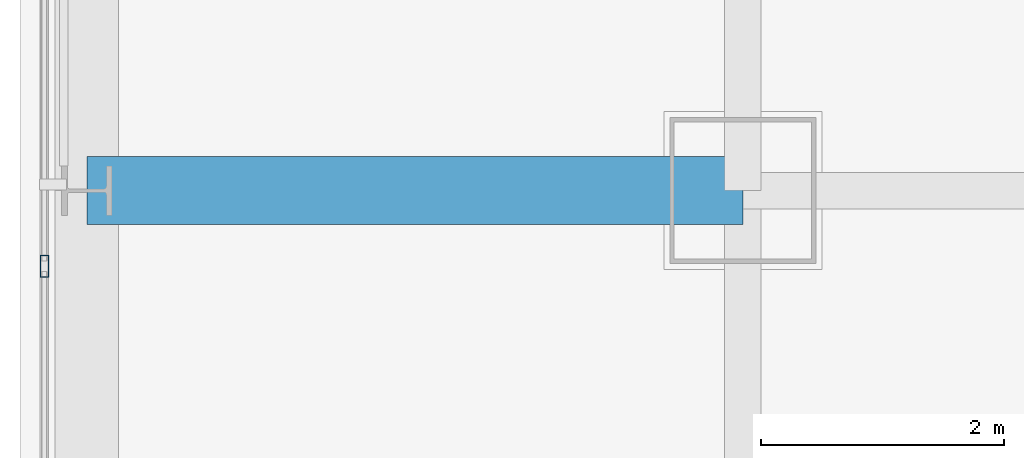
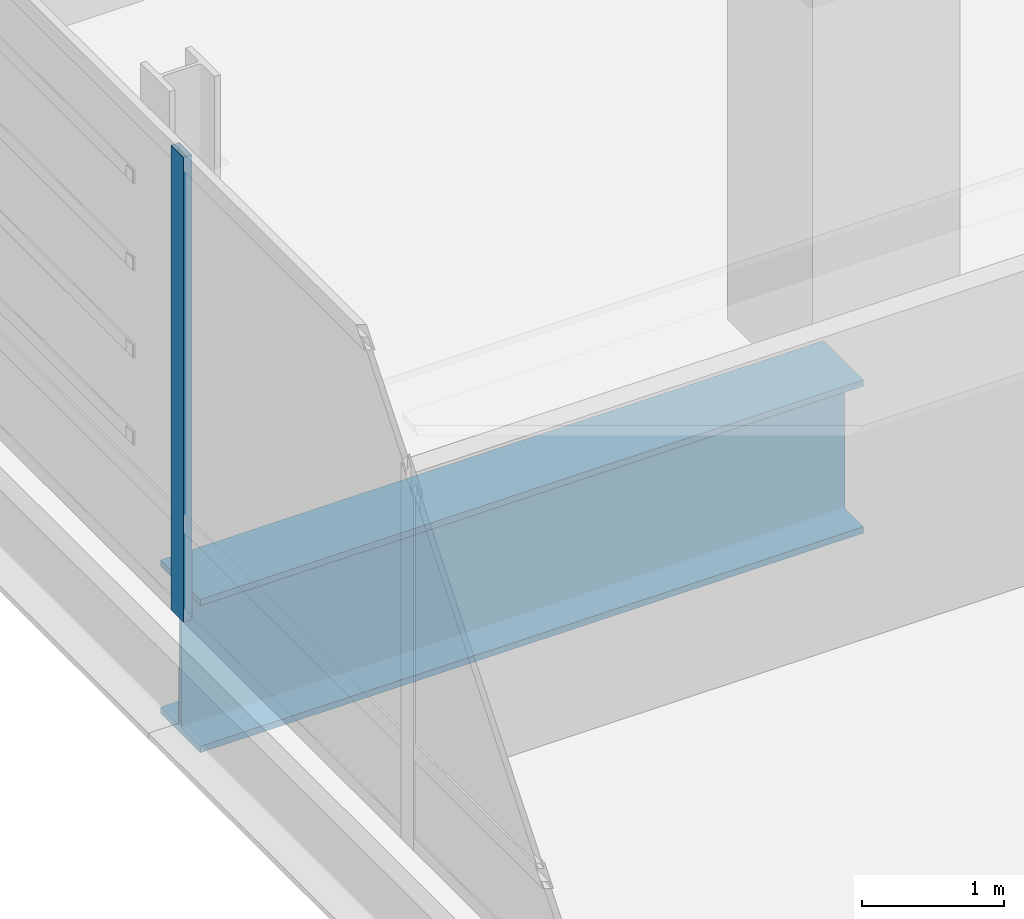
# One storey, part 10 of 43: 1 beam, 1 member, 1 element without a shape of its own.
"""IFC4 building model written with IfcOpenShell, lengths in metres."""

from ifc_helpers import new_model, si_unit, direction, frame, origin, origin_2d, place, context, subcontext, project, spatial, hollow_rectangle, i_section, extrude, material, material_profile, profile_set, type_object, element, aggregate, save


model = new_model("IFC4")

# Units and contexts
model_context = context("Model", 3, precision=1e-05, world=origin(), true_north=direction((0.0, 1.0)))
body_context = subcontext(model_context, "Body", "Model", "MODEL_VIEW")
ifc_project = project(units=[si_unit("LENGTHUNIT", "METRE"), si_unit("AREAUNIT", "SQUARE_METRE"), si_unit("VOLUMEUNIT", "CUBIC_METRE"), si_unit("PLANEANGLEUNIT", "RADIAN"), si_unit("MASSUNIT", "GRAM", prefix="KILO")], contexts=[model_context])

# Site, building, storey
site_placement = place(None, origin())
site = spatial("IfcSite", under=ifc_project, at=site_placement, CompositionType="ELEMENT")
building_placement = place(site_placement, origin())
building = spatial("IfcBuilding", under=site, at=building_placement, Name="Punatoya Terracotta Tower", CompositionType="ELEMENT")
storey_placement = place(building_placement, frame((0.0, 0.0, 321.60009765625)))
storey = spatial("IfcBuildingStorey", under=building, at=storey_placement, Name="L76", CompositionType="ELEMENT", Elevation=321.60009765625)

# Beam
ifc_material_1 = material(Name="Steel S460", Category="steel")
ifc_material_profile_1 = material_profile(ifc_material_1, i_section(OverallWidth=0.56005859375, OverallDepth=1.320068359375, WebThickness=0.035888671875, FlangeThickness=0.054931640625, FilletRadius=0.01806640625, at=origin_2d()))
ifc_profile_set_1 = profile_set([ifc_material_profile_1], Name="Steel S460")
beam_type = type_object("IfcBeamType", Name="BM-TG-BLK", PredefinedType="BEAM", material=ifc_profile_set_1)
beam_placement = place(storey_placement, frame((-24.5, -3.39990234375, -0.860107421875), z_axis=(1.0, 0.0, 0.0), x_axis=(0.0, 1.0, 0.0)))
element("IfcBeam", 1, at=beam_placement, inside=storey, type_object=beam_type, Name="BM-L76-CANT-W2", PredefinedType="BEAM", context=body_context, shape_type="SweptSolid", body=[
    extrude(i_section(OverallWidth=0.56005859375, OverallDepth=1.320068359375, WebThickness=0.035888671875, FlangeThickness=0.054931640625, FilletRadius=0.01806640625, at=origin_2d()), origin(), (0.0, 0.0, 1.0), 5.39990234375),
])

# Curtain wall, member
ifc_material_2 = material(Name="Aluminium 6063-T6 + Double Low-E Glass", Category="aluminium")
curtain_wall_type = type_object("IfcCurtainWallType", Name="CW-OBS", PredefinedType="NOTDEFINED", material=ifc_material_2)
curtain_wall_placement = place(storey_placement, origin())
curtain_wall = element("IfcCurtainWall", 2, at=curtain_wall_placement, inside=storey, type_object=curtain_wall_type, Name="L76 Curtain Wall CW-L76-W13-1", PredefinedType="NOTDEFINED")
ifc_material_3 = material(Name="Aluminium 6063-T6", Category="aluminium")
ifc_material_profile_2 = material_profile(ifc_material_3, hollow_rectangle(XDim=0.070068359375, YDim=0.179931640625, WallThickness=0.00390625, at=origin_2d()))
ifc_profile_set_2 = profile_set([ifc_material_profile_2], Name="Aluminium 6063-T6")
member_type = type_object("IfcMemberType", Name="CW-MUL-M3", PredefinedType="MULLION", material=ifc_profile_set_2)
member_placement = place(storey_placement, frame((-24.85009765625, -4.021484375, 0.0), z_axis=(0.0, 0.0, 1.0), x_axis=(1.0, 0.0, 0.0)))
member = element("IfcMember", 3, at=member_placement, type_object=member_type, Name="CW-L76-W13-1 Mullion 06", PredefinedType="MULLION", context=body_context, shape_type="SweptSolid", body=[
    extrude(hollow_rectangle(XDim=0.070068359375, YDim=0.179931640625, WallThickness=0.00390625, at=origin_2d()), origin(), (0.0, 0.0, 1.0), 4.0),
])
aggregate(curtain_wall, [member])

save(model, "model.ifc")
